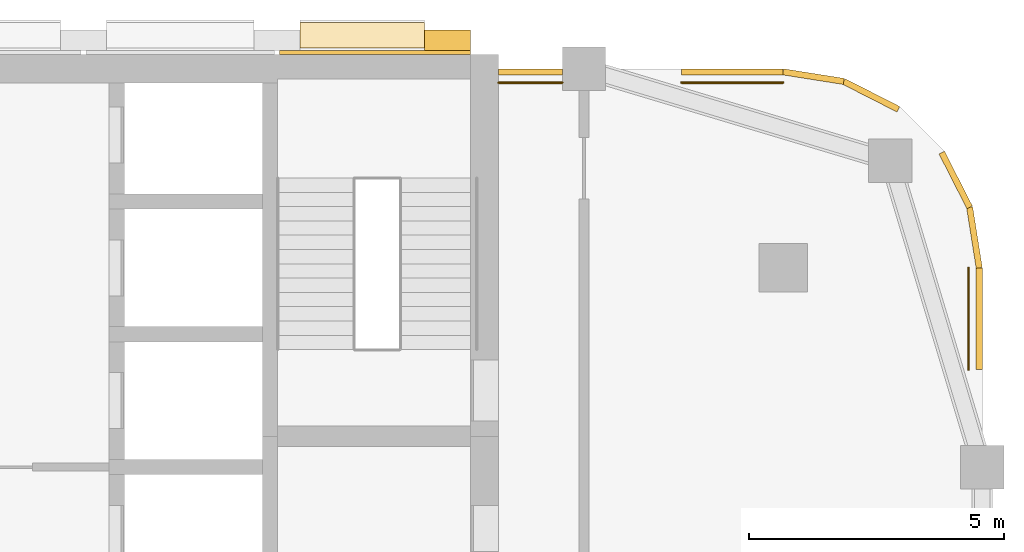
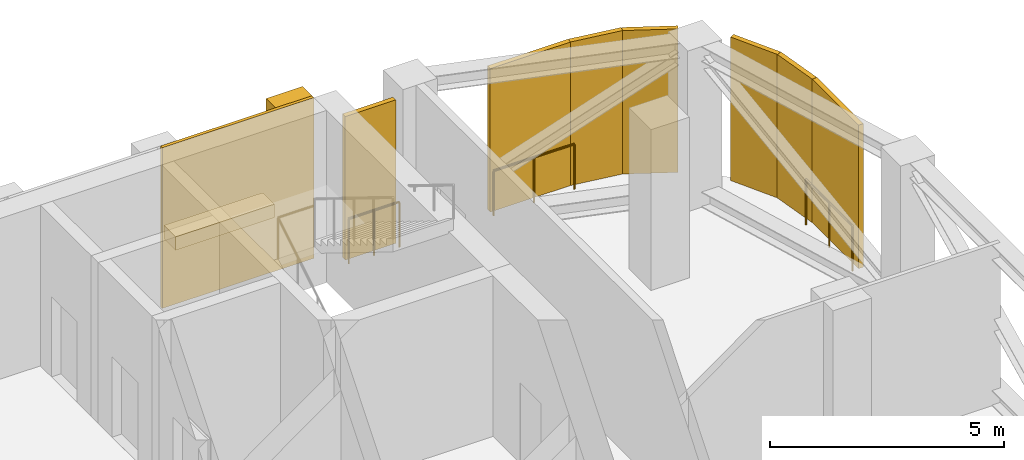
# One storey, part 11 of 11: 7 shading devices, 3 coverings, 3 railings.
"""IFC4 building model written with IfcOpenShell, lengths in metres."""

from ifc_helpers import new_model, si_unit, direction, frame, frame_2d, origin, origin_2d, place, context, subcontext, project, spatial, rectangle, circle, extrude, material, layer, layer_set, type_object, element, save


model = new_model("IFC4")

# Units and contexts
model_context = context("Model", 3, precision=1e-05, world=origin(), true_north=direction((0.0, 1.0)))
body_context = subcontext(model_context, "Body", "Model", "MODEL_VIEW")
ifc_project = project(units=[si_unit("LENGTHUNIT", "METRE"), si_unit("AREAUNIT", "SQUARE_METRE"), si_unit("VOLUMEUNIT", "CUBIC_METRE"), si_unit("PLANEANGLEUNIT", "RADIAN"), si_unit("MASSUNIT", "GRAM", prefix="KILO")], contexts=[model_context])

# Site, building, storey
site_placement = place(None, origin())
site = spatial("IfcSite", under=ifc_project, at=site_placement, CompositionType="ELEMENT")
building_placement = place(site_placement, origin())
building = spatial("IfcBuilding", under=site, at=building_placement, Name="Ludao Terraces", CompositionType="ELEMENT")
storey_placement = place(building_placement, frame((0.0, 0.0, 144.10009765625)))
storey = spatial("IfcBuildingStorey", under=building, at=storey_placement, Name="L39", CompositionType="ELEMENT", Elevation=144.10009765625)

# Coverings
ifc_material_1 = material(Name="Granite cladding", Category="masonry")
ifc_layer_1 = layer(ifc_material_1, 0.39990234375)
ifc_layer_set_1 = layer_set([ifc_layer_1], Name="ENV Core pilaster stone 400")
covering_type_1 = type_object("IfcCoveringType", Name="ENV Core pilaster stone 400", PredefinedType="CLADDING", material=ifc_layer_set_1)
covering_1_placement = place(storey_placement, frame((94.02490234375, 85.054931640625, 0.0), z_axis=(0.0, 0.0, 1.0), x_axis=(1.0, 0.0, 0.0)))
element("IfcCovering", 1, at=covering_1_placement, inside=storey, type_object=covering_type_1, Name="CC-L39-PIL6", PredefinedType="CLADDING", context=body_context, shape_type="SweptSolid", body=[
    extrude(rectangle(XDim=0.89990234375, YDim=0.39990234375, at=origin_2d()), origin(), (0.0, 0.0, 1.0), 4.199951171875),
])
ifc_layer_2 = layer(ifc_material_1, 0.080078125)
ifc_layer_set_2 = layer_set([ifc_layer_2], Name="ENV Core stone cladding panel 80")
covering_type_2 = type_object("IfcCoveringType", Name="ENV Core stone cladding panel 80", PredefinedType="CLADDING", material=ifc_layer_set_2)
covering_2_placement = place(storey_placement, frame((92.60498046875, 84.81494140625, 0.0), z_axis=(0.0, 0.0, 1.0), x_axis=(1.0, 0.0, 0.0)))
element("IfcCovering", 2, at=covering_2_placement, inside=storey, type_object=covering_type_2, Name="CC-L39-CORE5", PredefinedType="CLADDING", context=body_context, shape_type="SweptSolid", body=[
    extrude(rectangle(XDim=3.739990234375, YDim=0.080078125, at=origin_2d()), origin(), (0.0, 0.0, 1.0), 4.199951171875),
])

# Shading devices
ifc_material_2 = material(Name="Aluminium 6063-T6", Category="aluminium")
ifc_layer_3 = layer(ifc_material_2, 0.1201171875)
ifc_layer_set_3 = layer_set([ifc_layer_3], Name="ENV Louvre screen 120")
shading_device_type = type_object("IfcShadingDeviceType", Name="ENV Louvre screen 120", PredefinedType="USERDEFINED", material=ifc_layer_set_3)
shading_device_1_placement = place(storey_placement, frame((104.43994140625, 78.60791015625, 0.0), z_axis=(0.0, 0.0, 1.0), x_axis=(0.0, 1.0, 0.0)))
element("IfcShadingDevice", 3, at=shading_device_1_placement, inside=storey, type_object=shading_device_type, Name="LV-L39-E5", ObjectType="LOUVRE", PredefinedType="USERDEFINED", context=body_context, shape_type="SweptSolid", body=[
    extrude(rectangle(XDim=1.9921875, YDim=0.1201171875, at=frame_2d((0.99609375, 0.0))), origin(), (0.0, 0.0, 1.0), 3.75),
])
shading_device_2_placement = place(storey_placement, frame((95.02490234375, 84.43994140625, 0.0), z_axis=(0.0, 0.0, 1.0), x_axis=(1.0, 0.0, 0.0)))
element("IfcShadingDevice", 4, at=shading_device_2_placement, inside=storey, type_object=shading_device_type, Name="LV-L39-N3", ObjectType="LOUVRE", PredefinedType="USERDEFINED", context=body_context, shape_type="SweptSolid", body=[
    extrude(rectangle(XDim=1.25, YDim=0.1201171875, at=frame_2d((0.625, 0.0))), origin(), (0.0, 0.0, 1.0), 3.75),
])
shading_device_3_placement = place(storey_placement, frame((98.60791015625, 84.43994140625, 0.0), z_axis=(0.0, 0.0, 1.0), x_axis=(1.0, 0.0, 0.0)))
element("IfcShadingDevice", 5, at=shading_device_3_placement, inside=storey, type_object=shading_device_type, Name="LV-L39-N4", ObjectType="LOUVRE", PredefinedType="USERDEFINED", context=body_context, shape_type="SweptSolid", body=[
    extrude(rectangle(XDim=1.9921875, YDim=0.1201171875, at=frame_2d((0.99609375, 0.0))), origin(), (0.0, 0.0, 1.0), 3.75),
])
for number, where, z_axis, x_axis, name in (
    (6, (104.43994140625, 80.60009765625, 0.0), (0.0, 0.0, 1.0), (-0.156484349296, 0.987680438414, 0.0), "LV-L39-NE1"),
    (7, (104.251953125, 81.78662109375, 0.0), (0.0, 0.0, 1.0), (-0.453947089066, 0.891028641699, 0.0), "LV-L39-NE2"),
    (8, (102.857177734375, 83.70654296875, 0.0), (0.0, 0.0, 1.0), (-0.891028641699, 0.453947089066, 0.0), "LV-L39-NE4"),
    (9, (101.78662109375, 84.251953125, 0.0), (0.0, 0.0, 1.0), (-0.987680438414, 0.156484349296, 0.0), "LV-L39-NE5"),
):
    element("IfcShadingDevice", number, at=place(storey_placement, frame(where, z_axis=z_axis, x_axis=x_axis)), inside=storey, type_object=shading_device_type, Name=name, ObjectType="LOUVRE", PredefinedType="USERDEFINED", context=body_context, shape_type="SweptSolid", body=[
        extrude(rectangle(XDim=1.201416015625, YDim=0.1201171875, at=frame_2d((0.6005859375, 0.0))), origin(), (0.0, 0.0, 1.0), 3.75),
    ])

# Railings
ifc_material_3 = material(Name="Steel Q235", Category="steel")
railing_type = type_object("IfcRailingType", Name="ENV Open-edge guard 1200", PredefinedType="GUARDRAIL", material=ifc_material_3)
railing_1_placement = place(storey_placement, frame((104.22998046875, 78.60791015625, 0.0)))
element("IfcRailing", 10, at=railing_1_placement, inside=storey, type_object=railing_type, Name="Guard L39 E5", PredefinedType="GUARDRAIL", context=body_context, shape_type="SweptSolid", body=[
    extrude(circle(Radius=0.02392578125, at=origin_2d()), frame((0.0, 0.0, 1.17578125), z_axis=(0.0, 1.0, 0.0), x_axis=(-1.0, 0.0, 0.0)), (0.0, 0.0, 1.0), 1.9921875),
    extrude(circle(Radius=0.02099609375, at=origin_2d()), origin(), (0.0, 0.0, 1.0), 1.15185546875),
    extrude(circle(Radius=0.02099609375, at=origin_2d()), frame((0.0, 0.99609375, 0.0)), (0.0, 0.0, 1.0), 1.15185546875),
    extrude(circle(Radius=0.02099609375, at=origin_2d()), frame((0.0, 1.9921875, 0.0)), (0.0, 0.0, 1.0), 1.15185546875),
])
railing_2_placement = place(storey_placement, frame((95.02490234375, 84.22998046875, 0.0)))
element("IfcRailing", 11, at=railing_2_placement, inside=storey, type_object=railing_type, Name="Guard L39 N3", PredefinedType="GUARDRAIL", context=body_context, shape_type="SweptSolid", body=[
    extrude(circle(Radius=0.02392578125, at=origin_2d()), frame((0.0, 0.0, 1.17578125), z_axis=(1.0, 0.0, 0.0), x_axis=(0.0, 1.0, 0.0)), (0.0, 0.0, 1.0), 1.25),
    extrude(circle(Radius=0.02099609375, at=origin_2d()), origin(), (0.0, 0.0, 1.0), 1.15185546875),
    extrude(circle(Radius=0.02099609375, at=origin_2d()), frame((0.625, 0.0, 0.0)), (0.0, 0.0, 1.0), 1.15185546875),
    extrude(circle(Radius=0.02099609375, at=origin_2d()), frame((1.25, 0.0, 0.0)), (0.0, 0.0, 1.0), 1.15185546875),
])
railing_3_placement = place(storey_placement, frame((98.60791015625, 84.22998046875, 0.0)))
element("IfcRailing", 12, at=railing_3_placement, inside=storey, type_object=railing_type, Name="Guard L39 N4", PredefinedType="GUARDRAIL", context=body_context, shape_type="SweptSolid", body=[
    extrude(circle(Radius=0.02392578125, at=origin_2d()), frame((0.0, 0.0, 1.17578125), z_axis=(1.0, 0.0, 0.0), x_axis=(0.0, 1.0, 0.0)), (0.0, 0.0, 1.0), 1.9921875),
    extrude(circle(Radius=0.02099609375, at=origin_2d()), origin(), (0.0, 0.0, 1.0), 1.15185546875),
    extrude(circle(Radius=0.02099609375, at=origin_2d()), frame((0.99609375, 0.0, 0.0)), (0.0, 0.0, 1.0), 1.15185546875),
    extrude(circle(Radius=0.02099609375, at=origin_2d()), frame((1.9921875, 0.0, 0.0)), (0.0, 0.0, 1.0), 1.15185546875),
])

# Covering
ifc_material_4 = material(Name="Planting")
ifc_layer_4 = layer(ifc_material_4, 0.5)
ifc_layer_set_4 = layer_set([ifc_layer_4], Name="ENV Shelf planting bed 350")
covering_type_3 = type_object("IfcCoveringType", Name="ENV Shelf planting bed 350", PredefinedType="USERDEFINED", material=ifc_layer_set_4)
covering_3_placement = place(storey_placement, frame((92.35498046875, 85.155029296875, 1.2998046875), z_axis=(0.0, 0.0, 1.0), x_axis=(1.0, 0.0, 0.0)))
element("IfcCovering", 13, at=covering_3_placement, inside=storey, type_object=covering_type_3, Name="Shelf planting bed L39 5", ObjectType="PLANTING", PredefinedType="USERDEFINED", context=body_context, shape_type="SweptSolid", body=[
    extrude(rectangle(XDim=2.43994140625, YDim=0.5, at=origin_2d()), origin(), (0.0, 0.0, 1.0), 0.35009765625),
])

save(model, "model.ifc")
